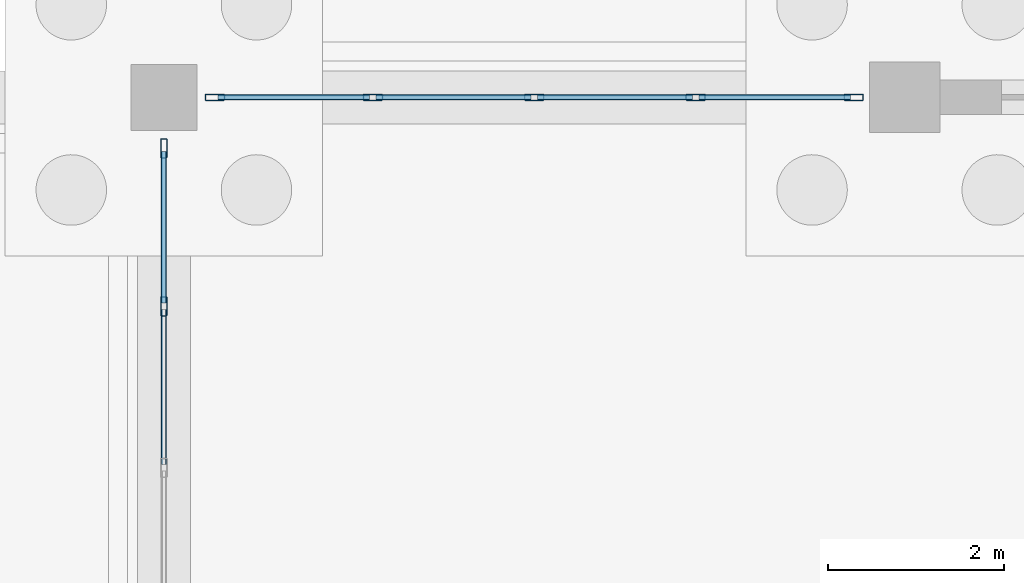
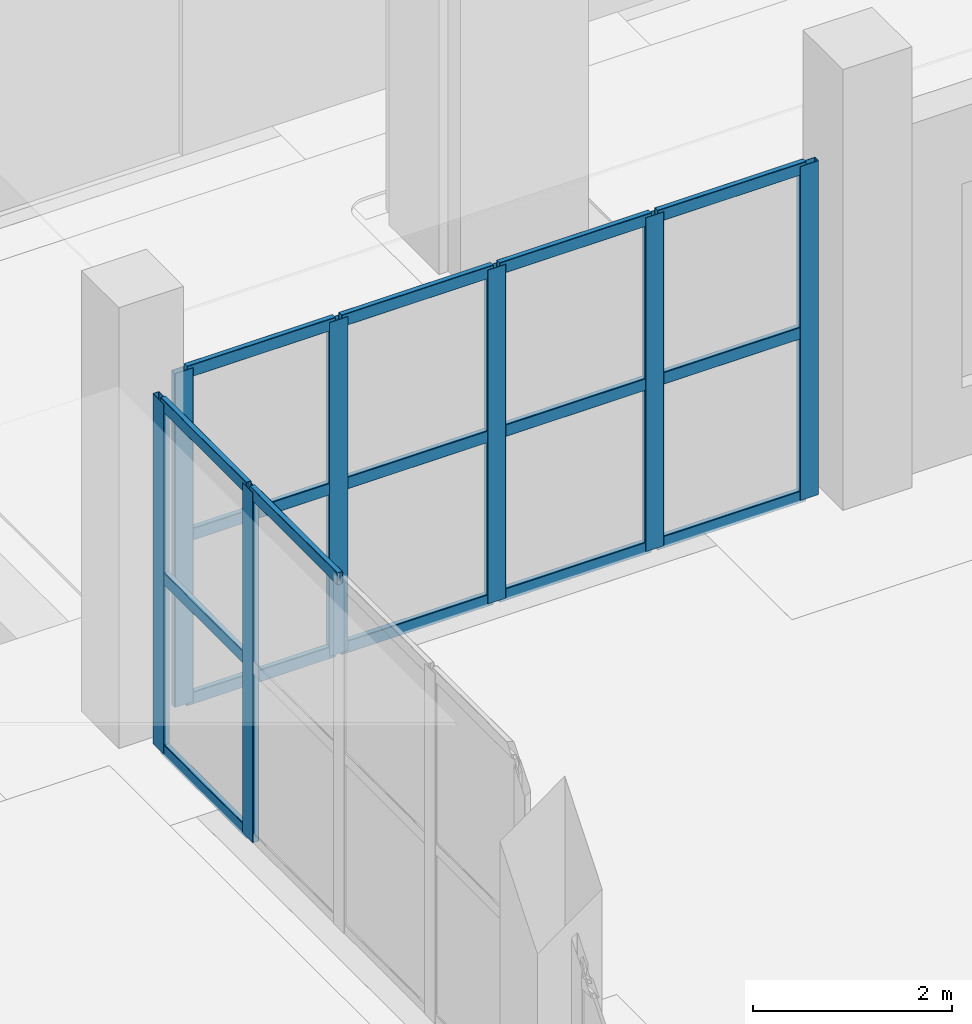
# One storey, part 21 of 65: 23 members, 2 elements without a shape of their own.
"""IFC4 building model written with IfcOpenShell, lengths in metres."""

import ifcopenshell
import ifcopenshell.guid

model = None  # the IFC model being written
_history = None  # IfcOwnerHistory: only IFC2X3 demands one
_inside = {}  # id of a spatial element -> (the spatial element, [elements in it])
_under = {}  # id of a project, library or spatial element -> (it, [spatial elements below it])
_declared = {}  # id of a project -> (the project, [libraries it declares])
_typed = {}  # id of a type object -> (the type object, [elements of that type])
_made_of = {}  # id of a material, layer set ... -> (it, [elements and type objects made of it])


def new_model(schema):
    """Start an empty IFC model of exactly this schema.

    Asked for "IFC4X3", IfcOpenShell would pick the latest addendum, in which some entities
    have other attributes; the version numbers below select the first issue.
    IFC2X3 requires an IfcOwnerHistory on every rooted entity: one is made here for all.
    """
    global model, _history
    if schema == "IFC4X3":
        model = ifcopenshell.file(schema_version=(4, 3, 0, 0))
    else:
        model = ifcopenshell.file(schema=schema)
    _inside.clear()
    _under.clear()
    _declared.clear()
    _typed.clear()
    _made_of.clear()
    _history = None
    if model.schema == "IFC2X3":
        org = make("IfcOrganization", Name="unknown")
        user = make(
            "IfcPersonAndOrganization",
            ThePerson=make("IfcPerson", FamilyName="unknown"),
            TheOrganization=org,
        )
        app = make(
            "IfcApplication",
            ApplicationDeveloper=org,
            Version="unknown",
            ApplicationFullName="unknown",
            ApplicationIdentifier="unknown",
        )
        _history = make(
            "IfcOwnerHistory",
            OwningUser=user,
            OwningApplication=app,
            ChangeAction="ADDED",
            CreationDate=0,
        )
    return model


def make(cls, **values):
    """One entity of the class cls with the attributes given. An attribute that is None is left unset."""
    return model.create_entity(
        cls, **{name: value for name, value in values.items() if value is not None}
    )


def rooted(cls, **values):
    """An entity with a GlobalId (a new one), such as an element, a storey or a relation."""
    return make(cls, GlobalId=ifcopenshell.guid.new(), OwnerHistory=_history, **values)


def si_unit(unit_type, name, prefix=None):
    """IfcSIUnit, for example si_unit("LENGTHUNIT", "METRE", prefix="MILLI")."""
    return make("IfcSIUnit", UnitType=unit_type, Prefix=prefix, Name=name)


def assignment(units):
    """IfcUnitAssignment: the units of a project."""
    return None if units is None else make("IfcUnitAssignment", Units=units)


def point(xyz):
    """IfcCartesianPoint."""
    return None if xyz is None else make("IfcCartesianPoint", Coordinates=xyz)


def direction(xyz):
    """IfcDirection."""
    return None if xyz is None else make("IfcDirection", DirectionRatios=xyz)


def frame(location, z_axis=None, x_axis=None):
    """IfcAxis2Placement3D, a coordinate frame: its origin and axes. An axis left out is left unset."""
    return make(
        "IfcAxis2Placement3D",
        Location=point(location),
        Axis=direction(z_axis),
        RefDirection=direction(x_axis),
    )


def frame_2d(location, x_axis=None):
    """IfcAxis2Placement2D, a coordinate frame in the plane: its origin and x axis."""
    return make(
        "IfcAxis2Placement2D", Location=point(location), RefDirection=direction(x_axis)
    )


def origin():
    """The frame at (0, 0, 0) with its axes left unset."""
    return frame((0.0, 0.0, 0.0))


def origin_2d():
    """The frame at (0, 0) in the plane with its x axis left unset."""
    return frame_2d((0.0, 0.0))


def place(relative_to, where):
    """IfcLocalPlacement: puts the frame where relative to a parent placement (None: the world)."""
    return make(
        "IfcLocalPlacement", PlacementRelTo=relative_to, RelativePlacement=where
    )


def context(
    kind, dimensions, precision=None, world=None, true_north=None, identifier=None
):
    """IfcGeometricRepresentationContext, for example the 3D "Model" context."""
    return make(
        "IfcGeometricRepresentationContext",
        ContextIdentifier=identifier,
        ContextType=kind,
        CoordinateSpaceDimension=dimensions,
        Precision=precision,
        WorldCoordinateSystem=world,
        TrueNorth=true_north,
    )


def subcontext(parent, identifier, kind, view, scale=None):
    """IfcGeometricRepresentationSubContext, for example "Body" below "Model"."""
    return make(
        "IfcGeometricRepresentationSubContext",
        ContextIdentifier=identifier,
        ContextType=kind,
        ParentContext=parent,
        TargetScale=scale,
        TargetView=view,
    )


def project(units=None, contexts=None):
    """IfcProject with its units and contexts."""
    return rooted(
        "IfcProject",
        Name="project",
        RepresentationContexts=contexts,
        UnitsInContext=assignment(units),
    )


def spatial(cls, under=None, at=None, **own):
    """A site, building, storey or space (cls), placed at a placement, below another one or the project."""
    s = rooted(cls, ObjectPlacement=at, **own)
    if under is not None:
        _under.setdefault(under.id(), (under, []))[1].append(s)
    return s


def profile(cls, at=None, kind="AREA", **sizes):
    """A parametric profile (cls). Its sizes go by their IFC names, for example OverallWidth=200.0."""
    return make(cls, ProfileType=kind, Position=at, **sizes)


def hollow_rectangle(**sizes):
    """IfcRectangleHollowProfileDef."""
    return profile("IfcRectangleHollowProfileDef", **sizes)


def extrude(swept, where, along, depth):
    """IfcExtrudedAreaSolid: the profile swept, set in the frame where, extruded along a direction by depth."""
    return make(
        "IfcExtrudedAreaSolid",
        SweptArea=swept,
        Position=where,
        ExtrudedDirection=direction(along),
        Depth=depth,
    )


def shape(context_of_items, identifier, shape_type, items):
    """IfcShapeRepresentation: the items that make up one representation, for example the "Body"."""
    return make(
        "IfcShapeRepresentation",
        ContextOfItems=context_of_items,
        RepresentationIdentifier=identifier,
        RepresentationType=shape_type,
        Items=items,
    )


def material(Name=None, Category=None):
    """IfcMaterial."""
    return make("IfcMaterial", Name=Name, Category=Category)


def layer(
    of_material, thickness, ventilated=None, Name=None, Category=None, Priority=None
):
    """IfcMaterialLayer: one layer of a wall or slab, of a material (None: an air gap)."""
    return make(
        "IfcMaterialLayer",
        Material=of_material,
        LayerThickness=thickness,
        IsVentilated=ventilated,
        Name=Name,
        Category=Category,
        Priority=Priority,
    )


def layer_set(layers, Name=None):
    """IfcMaterialLayerSet."""
    return make("IfcMaterialLayerSet", MaterialLayers=layers, LayerSetName=Name)


def material_profile(
    of_material, cross_section, Name=None, Category=None, Priority=None
):
    """IfcMaterialProfile: a cross section and its material."""
    return make(
        "IfcMaterialProfile",
        Name=Name,
        Material=of_material,
        Profile=cross_section,
        Priority=Priority,
        Category=Category,
    )


def profile_set(profiles, Name=None, composite=None):
    """IfcMaterialProfileSet."""
    return make(
        "IfcMaterialProfileSet",
        Name=Name,
        MaterialProfiles=profiles,
        CompositeProfile=composite,
    )


def made_of(thing, what):
    """Note that an element or type object is made of a material, layer set ...; save() writes the relation."""
    if what is not None:
        _made_of.setdefault(what.id(), (what, []))[1].append(thing)
    return thing


def type_object(cls, material=None, **own):
    """A type object (cls), such as IfcWallType, which elements share."""
    return made_of(rooted(cls, **own), material)


def element(
    cls,
    number,
    at=None,
    inside=None,
    cuts=None,
    type_object=None,
    material=None,
    context=None,
    identifier="Body",
    shape_type=None,
    held_by="IfcProductDefinitionShape",
    body=None,
    shapes=None,
    **own,
):
    """One element of the class cls, such as IfcWall. Its Tag is "e" and its number.

    at: its placement. inside: the storey or other place that contains it. cuts: it is an
    opening in that element (IfcRelVoidsElement). A single representation is given by context,
    identifier, shape_type and body (its items); several are given by shapes. held_by: the class
    of the entity that holds the representations. save() writes the other relations.
    """
    e = rooted(cls, Tag="e%d" % number, ObjectPlacement=at, **own)
    if body is not None:
        shapes = [shape(context, identifier, shape_type, body)]
    if shapes is not None:
        e.Representation = make(held_by, Representations=shapes)
    if inside is not None:
        _inside.setdefault(inside.id(), (inside, []))[1].append(e)
    if cuts is not None:
        rooted(
            "IfcRelVoidsElement", RelatingBuildingElement=cuts, RelatedOpeningElement=e
        )
    if type_object is not None:
        _typed.setdefault(type_object.id(), (type_object, []))[1].append(e)
    return made_of(e, material)


def aggregate(whole, parts):
    """IfcRelAggregates: a whole, such as a stair, and the parts it consists of."""
    return rooted("IfcRelAggregates", RelatingObject=whole, RelatedObjects=parts)


def save(model, path):
    """Write the relations noted so far, then the file.

    IfcRelAggregates (storeys below a building ...), IfcRelContainedInSpatialStructure (elements
    in a storey), IfcRelDefinesByType, IfcRelAssociatesMaterial and IfcRelDeclares: one each for
    every whole, place, type object, material and project.
    """
    for whole, parts in _under.values():
        aggregate(whole, parts)
    for where, things in _inside.values():
        rooted(
            "IfcRelContainedInSpatialStructure",
            RelatedElements=things,
            RelatingStructure=where,
        )
    for kind, things in _typed.values():
        rooted("IfcRelDefinesByType", RelatedObjects=things, RelatingType=kind)
    for what, things in _made_of.values():
        rooted("IfcRelAssociatesMaterial", RelatedObjects=things, RelatingMaterial=what)
    for by, libraries in _declared.values():
        rooted("IfcRelDeclares", RelatingContext=by, RelatedDefinitions=libraries)
    model.write(path)


model = new_model("IFC4")

# Units and contexts
model_context = context("Model", 3, precision=1e-05, world=origin(), true_north=direction((0.0, 1.0)))
body_context = subcontext(model_context, "Body", "Model", "MODEL_VIEW")
ifc_project = project(units=[si_unit("LENGTHUNIT", "METRE"), si_unit("AREAUNIT", "SQUARE_METRE"), si_unit("VOLUMEUNIT", "CUBIC_METRE"), si_unit("PLANEANGLEUNIT", "RADIAN"), si_unit("MASSUNIT", "GRAM", prefix="KILO")], contexts=[model_context])

# Site, building, storey
site_placement = place(None, origin())
site = spatial("IfcSite", under=ifc_project, at=site_placement, CompositionType="ELEMENT")
building_placement = place(site_placement, origin())
building = spatial("IfcBuilding", under=site, at=building_placement, Name="Zulmaris Art Gallery", CompositionType="ELEMENT")
storey_placement = place(building_placement, origin())
storey = spatial("IfcBuildingStorey", under=building, at=storey_placement, Name="L00", CompositionType="ELEMENT", Elevation=0.0)

# Curtain wall, members
ifc_material_1 = material(Name="Cloister & Court Glazed Curtain Wall", Category="aluminium")
ifc_layer_1 = layer(ifc_material_1, 0.179931640625)
ifc_layer_set_1 = layer_set([ifc_layer_1], Name="Cloister & Court Glazed Curtain Wall")
curtain_wall_type_1 = type_object("IfcCurtainWallType", Name="CW-CW03", PredefinedType="NOTDEFINED", material=ifc_layer_set_1)
curtain_wall_1_placement = place(storey_placement, origin())
curtain_wall_1 = element("IfcCurtainWall", 1, at=curtain_wall_1_placement, inside=storey, type_object=curtain_wall_type_1, Name="L00 curtain wall 70", PredefinedType="NOTDEFINED")
ifc_material_2 = material(Name="Anodised Bronze Aluminium", Category="aluminium")
ifc_material_profile_1 = material_profile(ifc_material_2, hollow_rectangle(XDim=0.074951171875, YDim=0.219970703125, WallThickness=0.0048828125, InnerFilletRadius=0.007568359375, OuterFilletRadius=0.012451171875, at=origin_2d()), Name="ALU 75x220x5")
ifc_profile_set_1 = profile_set([ifc_material_profile_1], Name="Anodised Bronze Aluminium")
member_type_1 = type_object("IfcMemberType", Name="CWMUL-02", PredefinedType="MULLION", material=ifc_profile_set_1)
member_1_placement = place(storey_placement, frame((91.199951171875, 58.222412109375, 0.0), z_axis=(0.0, 0.0, 1.0), x_axis=(1.0, 0.0, 0.0)))
member_1 = element("IfcMember", 2, at=member_1_placement, type_object=member_type_1, Name="CW03 mullion 1", PredefinedType="MULLION", context=body_context, shape_type="SweptSolid", body=[
    extrude(hollow_rectangle(XDim=0.074951171875, YDim=0.219970703125, WallThickness=0.0048828125, InnerFilletRadius=0.007568359375, OuterFilletRadius=0.012451171875, at=origin_2d()), origin(), (0.0, 0.0, 1.0), 4.2900390625),
])
member_2_placement = place(storey_placement, frame((91.199951171875, 56.429931640625, 0.0), z_axis=(0.0, 0.0, 1.0), x_axis=(1.0, 0.0, 0.0)))
member_2 = element("IfcMember", 3, at=member_2_placement, type_object=member_type_1, Name="CW03 mullion 2", PredefinedType="MULLION", context=body_context, shape_type="SweptSolid", body=[
    extrude(hollow_rectangle(XDim=0.074951171875, YDim=0.219970703125, WallThickness=0.0048828125, InnerFilletRadius=0.007568359375, OuterFilletRadius=0.012451171875, at=origin_2d()), origin(), (0.0, 0.0, 1.0), 4.2900390625),
])

ifc_material_3 = material(Name="Unitised Low-E Gallery Curtain Wall", Category="aluminium")
ifc_layer_2 = layer(ifc_material_3, 0.179931640625)
ifc_layer_set_2 = layer_set([ifc_layer_2], Name="Unitised Low-E Gallery Curtain Wall")
curtain_wall_type_2 = type_object("IfcCurtainWallType", Name="CW-CW01", PredefinedType="NOTDEFINED", material=ifc_layer_set_2)
curtain_wall_2_placement = place(storey_placement, origin())
curtain_wall_2 = element("IfcCurtainWall", 4, at=curtain_wall_2_placement, inside=storey, type_object=curtain_wall_type_2, Name="L00 curtain wall 85", PredefinedType="NOTDEFINED")
member_3_placement = place(storey_placement, frame((91.777587890625, 58.800048828125, 0.0), z_axis=(0.0, 0.0, 1.0), x_axis=(0.0, 1.0, 0.0)))
member_3 = element("IfcMember", 5, at=member_3_placement, type_object=member_type_1, Name="CW01 mullion 1", PredefinedType="MULLION", context=body_context, shape_type="SweptSolid", body=[
    extrude(hollow_rectangle(XDim=0.074951171875, YDim=0.219970703125, WallThickness=0.0048828125, InnerFilletRadius=0.007568359375, OuterFilletRadius=0.012451171875, at=origin_2d()), origin(), (0.0, 0.0, 1.0), 4.090087890625),
])
member_4_placement = place(storey_placement, frame((93.570068359375, 58.800048828125, 0.0), z_axis=(0.0, 0.0, 1.0), x_axis=(0.0, 1.0, 0.0)))
member_4 = element("IfcMember", 6, at=member_4_placement, type_object=member_type_1, Name="CW01 mullion 2", PredefinedType="MULLION", context=body_context, shape_type="SweptSolid", body=[
    extrude(hollow_rectangle(XDim=0.074951171875, YDim=0.219970703125, WallThickness=0.0048828125, InnerFilletRadius=0.007568359375, OuterFilletRadius=0.012451171875, at=origin_2d()), origin(), (0.0, 0.0, 1.0), 4.090087890625),
])
member_5_placement = place(storey_placement, frame((95.39990234375, 58.800048828125, 0.0), z_axis=(0.0, 0.0, 1.0), x_axis=(0.0, 1.0, 0.0)))
member_5 = element("IfcMember", 7, at=member_5_placement, type_object=member_type_1, Name="CW01 mullion 3", PredefinedType="MULLION", context=body_context, shape_type="SweptSolid", body=[
    extrude(hollow_rectangle(XDim=0.074951171875, YDim=0.219970703125, WallThickness=0.0048828125, InnerFilletRadius=0.007568359375, OuterFilletRadius=0.012451171875, at=origin_2d()), origin(), (0.0, 0.0, 1.0), 4.090087890625),
])
member_6_placement = place(storey_placement, frame((97.22998046875, 58.800048828125, 0.0), z_axis=(0.0, 0.0, 1.0), x_axis=(0.0, 1.0, 0.0)))
member_6 = element("IfcMember", 8, at=member_6_placement, type_object=member_type_1, Name="CW01 mullion 4", PredefinedType="MULLION", context=body_context, shape_type="SweptSolid", body=[
    extrude(hollow_rectangle(XDim=0.074951171875, YDim=0.219970703125, WallThickness=0.0048828125, InnerFilletRadius=0.007568359375, OuterFilletRadius=0.012451171875, at=origin_2d()), origin(), (0.0, 0.0, 1.0), 4.090087890625),
])
member_7_placement = place(storey_placement, frame((99.0224609375, 58.800048828125, 0.0), z_axis=(0.0, 0.0, 1.0), x_axis=(0.0, 1.0, 0.0)))
member_7 = element("IfcMember", 9, at=member_7_placement, type_object=member_type_1, Name="CW01 mullion 5", PredefinedType="MULLION", context=body_context, shape_type="SweptSolid", body=[
    extrude(hollow_rectangle(XDim=0.074951171875, YDim=0.219970703125, WallThickness=0.0048828125, InnerFilletRadius=0.007568359375, OuterFilletRadius=0.012451171875, at=origin_2d()), origin(), (0.0, 0.0, 1.0), 4.090087890625),
])

# Member
ifc_material_profile_2 = material_profile(ifc_material_2, hollow_rectangle(XDim=0.06494140625, YDim=0.14990234375, WallThickness=0.00390625, InnerFilletRadius=0.006103515625, OuterFilletRadius=0.010009765625, at=origin_2d()), Name="ALU 65x150x4")
ifc_profile_set_2 = profile_set([ifc_material_profile_2], Name="Anodised Bronze Aluminium")
member_type_2 = type_object("IfcMemberType", Name="CWTRN-01", PredefinedType="USERDEFINED", material=ifc_profile_set_2)
member_8_placement = place(storey_placement, frame((91.199951171875, 58.18505859375, 0.03759765625), z_axis=(0.0, -1.0, 0.0), x_axis=(1.0, 0.0, 0.0)))
member_8 = element("IfcMember", 10, at=member_8_placement, type_object=member_type_2, Name="CW03 transom 1.1", ObjectType="TRANSOM", PredefinedType="USERDEFINED", context=body_context, shape_type="SweptSolid", body=[
    extrude(hollow_rectangle(XDim=0.06494140625, YDim=0.14990234375, WallThickness=0.00390625, InnerFilletRadius=0.006103515625, OuterFilletRadius=0.010009765625, at=origin_2d()), origin(), (0.0, 0.0, 1.0), 1.717529296875),
])

member_9_placement = place(storey_placement, frame((91.199951171875, 58.18505859375, 2.14501953125), z_axis=(0.0, -1.0, 0.0), x_axis=(1.0, 0.0, 0.0)))
member_9 = element("IfcMember", 11, at=member_9_placement, type_object=member_type_2, Name="CW03 transom 1.2", ObjectType="TRANSOM", PredefinedType="USERDEFINED", context=body_context, shape_type="SweptSolid", body=[
    extrude(hollow_rectangle(XDim=0.06494140625, YDim=0.14990234375, WallThickness=0.00390625, InnerFilletRadius=0.006103515625, OuterFilletRadius=0.010009765625, at=origin_2d()), origin(), (0.0, 0.0, 1.0), 1.717529296875),
])

member_10_placement = place(storey_placement, frame((91.199951171875, 58.18505859375, 4.25244140625), z_axis=(0.0, -1.0, 0.0), x_axis=(1.0, 0.0, 0.0)))
member_10 = element("IfcMember", 12, at=member_10_placement, type_object=member_type_2, Name="CW03 transom 1.3", ObjectType="TRANSOM", PredefinedType="USERDEFINED", context=body_context, shape_type="SweptSolid", body=[
    extrude(hollow_rectangle(XDim=0.06494140625, YDim=0.14990234375, WallThickness=0.00390625, InnerFilletRadius=0.006103515625, OuterFilletRadius=0.010009765625, at=origin_2d()), origin(), (0.0, 0.0, 1.0), 1.717529296875),
])

member_11_placement = place(storey_placement, frame((91.199951171875, 56.392578125, 4.25244140625), z_axis=(0.0, -1.0, 0.0), x_axis=(1.0, 0.0, 0.0)))
member_11 = element("IfcMember", 13, at=member_11_placement, type_object=member_type_2, Name="CW03 transom 2.3", ObjectType="TRANSOM", PredefinedType="USERDEFINED", context=body_context, shape_type="SweptSolid", body=[
    extrude(hollow_rectangle(XDim=0.06494140625, YDim=0.14990234375, WallThickness=0.00390625, InnerFilletRadius=0.006103515625, OuterFilletRadius=0.010009765625, at=origin_2d()), origin(), (0.0, 0.0, 1.0), 1.755126953125),
])

aggregate(curtain_wall_1, [member_1, member_2, member_8, member_9, member_10, member_11])

member_12_placement = place(storey_placement, frame((91.81494140625, 58.800048828125, 0.03759765625), z_axis=(1.0, 0.0, 0.0), x_axis=(0.0, 1.0, 0.0)))
member_12 = element("IfcMember", 14, at=member_12_placement, type_object=member_type_2, Name="CW01 transom 1.1", ObjectType="TRANSOM", PredefinedType="USERDEFINED", context=body_context, shape_type="SweptSolid", body=[
    extrude(hollow_rectangle(XDim=0.06494140625, YDim=0.14990234375, WallThickness=0.00390625, InnerFilletRadius=0.006103515625, OuterFilletRadius=0.010009765625, at=origin_2d()), origin(), (0.0, 0.0, 1.0), 1.717529296875),
])

member_13_placement = place(storey_placement, frame((91.81494140625, 58.800048828125, 2.044921875), z_axis=(1.0, 0.0, 0.0), x_axis=(0.0, 1.0, 0.0)))
member_13 = element("IfcMember", 15, at=member_13_placement, type_object=member_type_2, Name="CW01 transom 1.2", ObjectType="TRANSOM", PredefinedType="USERDEFINED", context=body_context, shape_type="SweptSolid", body=[
    extrude(hollow_rectangle(XDim=0.06494140625, YDim=0.14990234375, WallThickness=0.00390625, InnerFilletRadius=0.006103515625, OuterFilletRadius=0.010009765625, at=origin_2d()), origin(), (0.0, 0.0, 1.0), 1.717529296875),
])

member_14_placement = place(storey_placement, frame((91.81494140625, 58.800048828125, 4.052490234375), z_axis=(1.0, 0.0, 0.0), x_axis=(0.0, 1.0, 0.0)))
member_14 = element("IfcMember", 16, at=member_14_placement, type_object=member_type_2, Name="CW01 transom 1.3", ObjectType="TRANSOM", PredefinedType="USERDEFINED", context=body_context, shape_type="SweptSolid", body=[
    extrude(hollow_rectangle(XDim=0.06494140625, YDim=0.14990234375, WallThickness=0.00390625, InnerFilletRadius=0.006103515625, OuterFilletRadius=0.010009765625, at=origin_2d()), origin(), (0.0, 0.0, 1.0), 1.717529296875),
])

member_15_placement = place(storey_placement, frame((93.607421875, 58.800048828125, 0.03759765625), z_axis=(1.0, 0.0, 0.0), x_axis=(0.0, 1.0, 0.0)))
member_15 = element("IfcMember", 17, at=member_15_placement, type_object=member_type_2, Name="CW01 transom 2.1", ObjectType="TRANSOM", PredefinedType="USERDEFINED", context=body_context, shape_type="SweptSolid", body=[
    extrude(hollow_rectangle(XDim=0.06494140625, YDim=0.14990234375, WallThickness=0.00390625, InnerFilletRadius=0.006103515625, OuterFilletRadius=0.010009765625, at=origin_2d()), origin(), (0.0, 0.0, 1.0), 1.755126953125),
])

member_16_placement = place(storey_placement, frame((93.607421875, 58.800048828125, 2.044921875), z_axis=(1.0, 0.0, 0.0), x_axis=(0.0, 1.0, 0.0)))
member_16 = element("IfcMember", 18, at=member_16_placement, type_object=member_type_2, Name="CW01 transom 2.2", ObjectType="TRANSOM", PredefinedType="USERDEFINED", context=body_context, shape_type="SweptSolid", body=[
    extrude(hollow_rectangle(XDim=0.06494140625, YDim=0.14990234375, WallThickness=0.00390625, InnerFilletRadius=0.006103515625, OuterFilletRadius=0.010009765625, at=origin_2d()), origin(), (0.0, 0.0, 1.0), 1.755126953125),
])

member_17_placement = place(storey_placement, frame((93.607421875, 58.800048828125, 4.052490234375), z_axis=(1.0, 0.0, 0.0), x_axis=(0.0, 1.0, 0.0)))
member_17 = element("IfcMember", 19, at=member_17_placement, type_object=member_type_2, Name="CW01 transom 2.3", ObjectType="TRANSOM", PredefinedType="USERDEFINED", context=body_context, shape_type="SweptSolid", body=[
    extrude(hollow_rectangle(XDim=0.06494140625, YDim=0.14990234375, WallThickness=0.00390625, InnerFilletRadius=0.006103515625, OuterFilletRadius=0.010009765625, at=origin_2d()), origin(), (0.0, 0.0, 1.0), 1.755126953125),
])

member_18_placement = place(storey_placement, frame((95.4375, 58.800048828125, 0.03759765625), z_axis=(1.0, 0.0, 0.0), x_axis=(0.0, 1.0, 0.0)))
member_18 = element("IfcMember", 20, at=member_18_placement, type_object=member_type_2, Name="CW01 transom 3.1", ObjectType="TRANSOM", PredefinedType="USERDEFINED", context=body_context, shape_type="SweptSolid", body=[
    extrude(hollow_rectangle(XDim=0.06494140625, YDim=0.14990234375, WallThickness=0.00390625, InnerFilletRadius=0.006103515625, OuterFilletRadius=0.010009765625, at=origin_2d()), origin(), (0.0, 0.0, 1.0), 1.7548828125),
])

member_19_placement = place(storey_placement, frame((95.4375, 58.800048828125, 2.044921875), z_axis=(1.0, 0.0, 0.0), x_axis=(0.0, 1.0, 0.0)))
member_19 = element("IfcMember", 21, at=member_19_placement, type_object=member_type_2, Name="CW01 transom 3.2", ObjectType="TRANSOM", PredefinedType="USERDEFINED", context=body_context, shape_type="SweptSolid", body=[
    extrude(hollow_rectangle(XDim=0.06494140625, YDim=0.14990234375, WallThickness=0.00390625, InnerFilletRadius=0.006103515625, OuterFilletRadius=0.010009765625, at=origin_2d()), origin(), (0.0, 0.0, 1.0), 1.7548828125),
])

member_20_placement = place(storey_placement, frame((95.4375, 58.800048828125, 4.052490234375), z_axis=(1.0, 0.0, 0.0), x_axis=(0.0, 1.0, 0.0)))
member_20 = element("IfcMember", 22, at=member_20_placement, type_object=member_type_2, Name="CW01 transom 3.3", ObjectType="TRANSOM", PredefinedType="USERDEFINED", context=body_context, shape_type="SweptSolid", body=[
    extrude(hollow_rectangle(XDim=0.06494140625, YDim=0.14990234375, WallThickness=0.00390625, InnerFilletRadius=0.006103515625, OuterFilletRadius=0.010009765625, at=origin_2d()), origin(), (0.0, 0.0, 1.0), 1.7548828125),
])

member_21_placement = place(storey_placement, frame((97.267578125, 58.800048828125, 0.03759765625), z_axis=(1.0, 0.0, 0.0), x_axis=(0.0, 1.0, 0.0)))
member_21 = element("IfcMember", 23, at=member_21_placement, type_object=member_type_2, Name="CW01 transom 4.1", ObjectType="TRANSOM", PredefinedType="USERDEFINED", context=body_context, shape_type="SweptSolid", body=[
    extrude(hollow_rectangle(XDim=0.06494140625, YDim=0.14990234375, WallThickness=0.00390625, InnerFilletRadius=0.006103515625, OuterFilletRadius=0.010009765625, at=origin_2d()), origin(), (0.0, 0.0, 1.0), 1.717529296875),
])

member_22_placement = place(storey_placement, frame((97.267578125, 58.800048828125, 2.044921875), z_axis=(1.0, 0.0, 0.0), x_axis=(0.0, 1.0, 0.0)))
member_22 = element("IfcMember", 24, at=member_22_placement, type_object=member_type_2, Name="CW01 transom 4.2", ObjectType="TRANSOM", PredefinedType="USERDEFINED", context=body_context, shape_type="SweptSolid", body=[
    extrude(hollow_rectangle(XDim=0.06494140625, YDim=0.14990234375, WallThickness=0.00390625, InnerFilletRadius=0.006103515625, OuterFilletRadius=0.010009765625, at=origin_2d()), origin(), (0.0, 0.0, 1.0), 1.717529296875),
])

member_23_placement = place(storey_placement, frame((97.267578125, 58.800048828125, 4.052490234375), z_axis=(1.0, 0.0, 0.0), x_axis=(0.0, 1.0, 0.0)))
member_23 = element("IfcMember", 25, at=member_23_placement, type_object=member_type_2, Name="CW01 transom 4.3", ObjectType="TRANSOM", PredefinedType="USERDEFINED", context=body_context, shape_type="SweptSolid", body=[
    extrude(hollow_rectangle(XDim=0.06494140625, YDim=0.14990234375, WallThickness=0.00390625, InnerFilletRadius=0.006103515625, OuterFilletRadius=0.010009765625, at=origin_2d()), origin(), (0.0, 0.0, 1.0), 1.717529296875),
])

aggregate(curtain_wall_2, [member_3, member_4, member_5, member_6, member_7, member_12, member_13, member_14, member_15, member_16, member_17, member_18, member_19, member_20, member_21, member_22, member_23])

save(model, "model.ifc")
